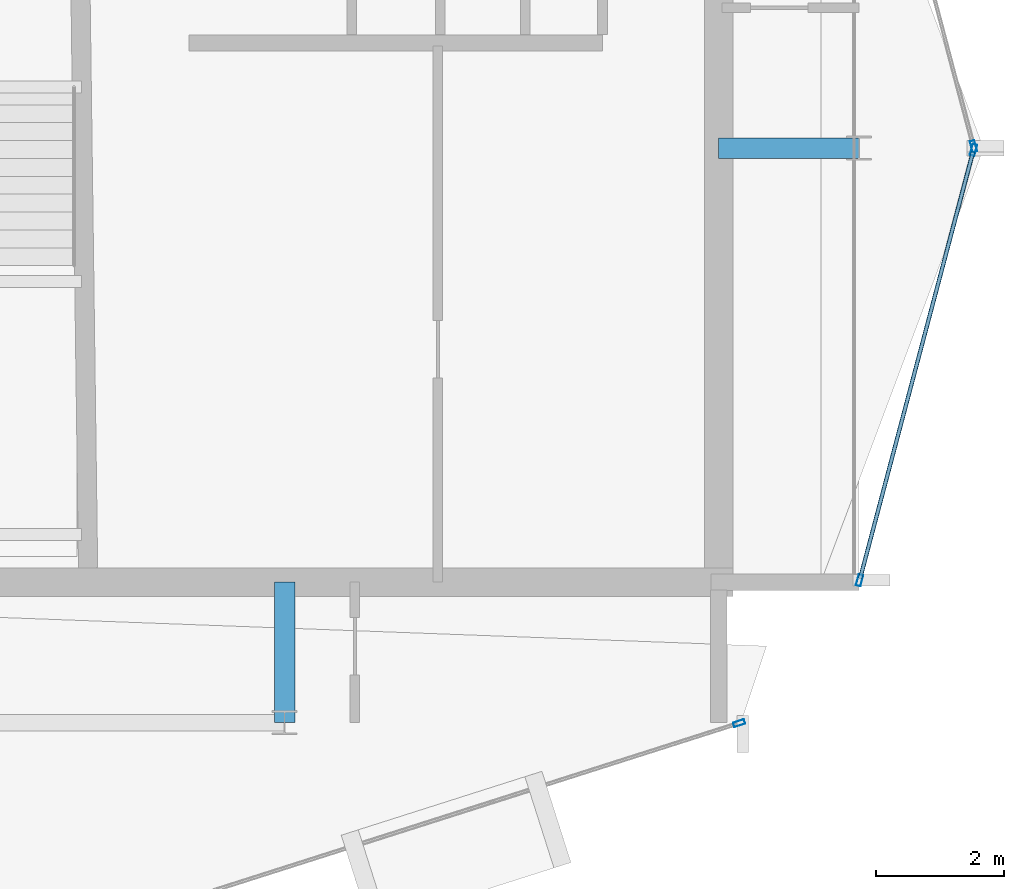
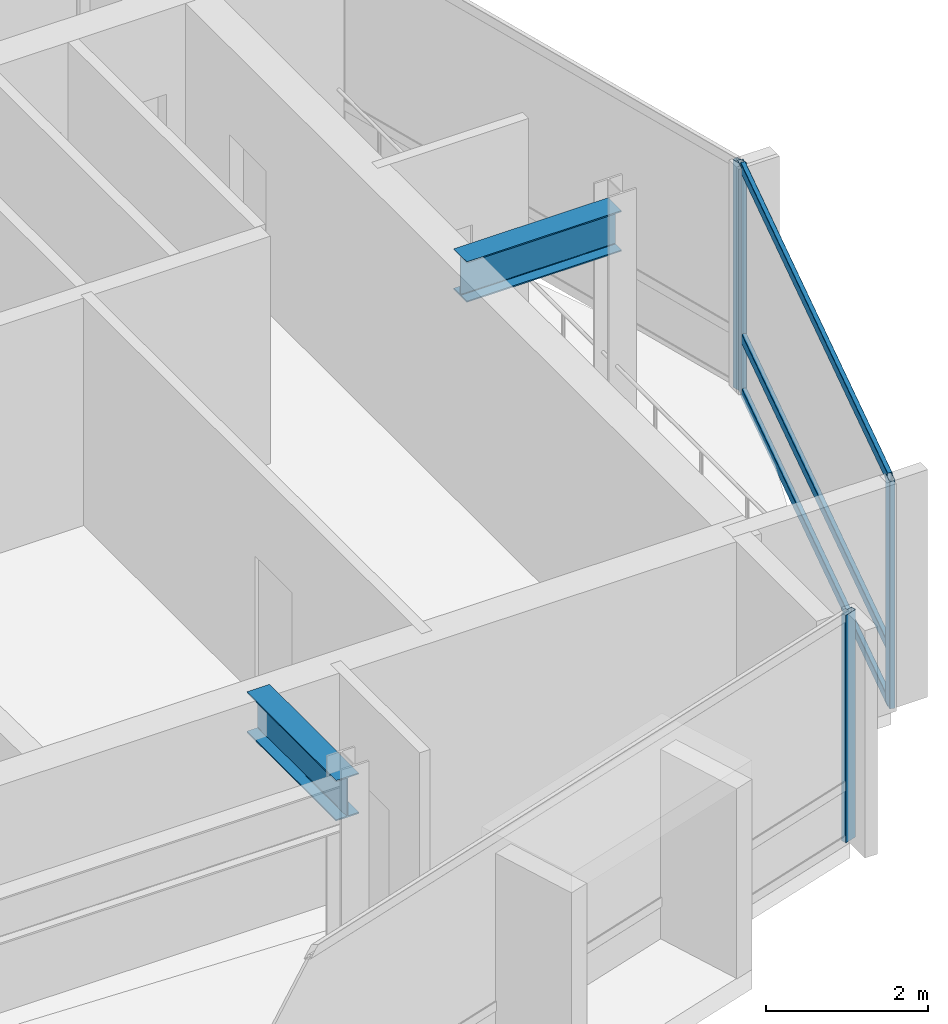
# One storey, part 9 of 19: 7 members, 2 beams, 3 elements without a shape of their own.
"""IFC4 building model written with IfcOpenShell, lengths in metres."""

from ifc_helpers import new_model, si_unit, direction, frame, origin, origin_2d, place, context, subcontext, project, spatial, hollow_rectangle, i_section, extrude, material, layer, layer_set, material_profile, profile_set, type_object, element, aggregate, save


model = new_model("IFC4")

# Units and contexts
model_context = context("Model", 3, precision=1e-05, world=origin(), true_north=direction((0.0, 1.0)))
body_context = subcontext(model_context, "Body", "Model", "MODEL_VIEW")
ifc_project = project(units=[si_unit("LENGTHUNIT", "METRE"), si_unit("AREAUNIT", "SQUARE_METRE"), si_unit("VOLUMEUNIT", "CUBIC_METRE"), si_unit("PLANEANGLEUNIT", "RADIAN"), si_unit("MASSUNIT", "GRAM", prefix="KILO")], contexts=[model_context])

# Site, building, storey
site_placement = place(None, origin())
site = spatial("IfcSite", under=ifc_project, at=site_placement, CompositionType="ELEMENT")
building_placement = place(site_placement, origin())
building = spatial("IfcBuilding", under=site, at=building_placement, Name="Solvaryn Broadcast Tower", CompositionType="ELEMENT")
storey_placement = place(building_placement, frame((0.0, 0.0, 274.10009765625)))
storey = spatial("IfcBuildingStorey", under=building, at=storey_placement, Name="L69", CompositionType="ELEMENT", Elevation=274.10009765625)

# Beams
ifc_material_1 = material(Name="Steel ASTM A992 Grade 50", Category="steel")
ifc_material_profile_1 = material_profile(ifc_material_1, i_section(OverallWidth=0.323974609375, OverallDepth=0.611083984375, WebThickness=0.0126953125, FlangeThickness=0.01904296875, FilletRadius=0.014892578125, at=origin_2d()))
ifc_profile_set_1 = profile_set([ifc_material_profile_1], Name="Steel ASTM A992 Grade 50")
beam_type = type_object("IfcBeamType", Name="BM-B1-W24X104", PredefinedType="BEAM", material=ifc_profile_set_1)
for number, where, z_axis, x_axis, name in (
    (1, (36.0, 9.0, 3.114501953125), (0.0, 1.0, 0.0), (-1.0, 0.0, 0.0), "L69 Core Tie Beam CTE1"),
    (2, (42.800048828125, 18.0, 3.114501953125), (1.0, 0.0, 0.0), (0.0, 1.0, 0.0), "L69 Core Tie Beam CTE3"),
):
    element("IfcBeam", number, at=place(storey_placement, frame(where, z_axis=z_axis, x_axis=x_axis)), inside=storey, type_object=beam_type, Name=name, PredefinedType="BEAM", context=body_context, shape_type="SweptSolid", body=[
        extrude(i_section(OverallWidth=0.323974609375, OverallDepth=0.611083984375, WebThickness=0.0126953125, FlangeThickness=0.01904296875, FilletRadius=0.014892578125, at=origin_2d()), origin(), (0.0, 0.0, 1.0), 2.199951171875),
    ])

# Curtain wall, member
ifc_material_2 = material(Name="Aluminium and Terracotta Unitised Curtain Wall", Category="masonry")
ifc_layer = layer(ifc_material_2, 0.199951171875)
ifc_layer_set = layer_set([ifc_layer], Name="CW-SYS2-LOWMID")
curtain_wall_type = type_object("IfcCurtainWallType", Name="CW-SYS2-LOWMID", PredefinedType="NOTDEFINED", material=ifc_layer_set)
curtain_wall_1_placement = place(storey_placement, origin())
curtain_wall_1 = element("IfcCurtainWall", 3, at=curtain_wall_1_placement, inside=storey, type_object=curtain_wall_type, Name="L69 Curtain Wall DR4", PredefinedType="NOTDEFINED")
ifc_material_3 = material(Name="Anodised Aluminium 6063-T6", Category="aluminium")
ifc_material_profile_2 = material_profile(ifc_material_3, hollow_rectangle(XDim=0.074951171875, YDim=0.179931640625, WallThickness=0.00390625, InnerFilletRadius=0.00390625, OuterFilletRadius=0.008056640625, at=origin_2d()))
ifc_profile_set_2 = profile_set([ifc_material_profile_2], Name="Anodised Aluminium 6063-T6")
member_type_1 = type_object("IfcMemberType", Name="CW-MUL-180", PredefinedType="MULLION", material=ifc_profile_set_2)
member_1_placement = place(storey_placement, frame((43.120361328125, 8.990966796875, 0.0), z_axis=(0.0, 0.0, 1.0), x_axis=(-0.30361564569, 0.952794594701, 0.0)))
member_1 = element("IfcMember", 4, at=member_1_placement, type_object=member_type_1, Name="CWS2 mullion 2", PredefinedType="MULLION", context=body_context, shape_type="SweptSolid", body=[
    extrude(hollow_rectangle(XDim=0.074951171875, YDim=0.179931640625, WallThickness=0.00390625, InnerFilletRadius=0.00390625, OuterFilletRadius=0.008056640625, at=origin_2d()), origin(), (0.0, 0.0, 1.0), 3.419921875),
])
aggregate(curtain_wall_1, [member_1])

curtain_wall_2_placement = place(storey_placement, origin())
curtain_wall_2 = element("IfcCurtainWall", 5, at=curtain_wall_2_placement, inside=storey, type_object=curtain_wall_type, Name="L69 Curtain Wall ET1", PredefinedType="NOTDEFINED")
member_2_placement = place(storey_placement, frame((46.792236328125, 18.029052734375, 0.0), z_axis=(0.0, 0.0, 1.0), x_axis=(0.966705227863, 0.25589256031, 0.0)))
member_2 = element("IfcMember", 6, at=member_2_placement, type_object=member_type_1, Name="CWS2 mullion 2", PredefinedType="MULLION", context=body_context, shape_type="SweptSolid", body=[
    extrude(hollow_rectangle(XDim=0.074951171875, YDim=0.179931640625, WallThickness=0.00390625, InnerFilletRadius=0.00390625, OuterFilletRadius=0.008056640625, at=origin_2d()), origin(), (0.0, 0.0, 1.0), 3.419921875),
])
aggregate(curtain_wall_2, [member_2])

# Curtain wall, members
curtain_wall_3_placement = place(storey_placement, origin())
curtain_wall_3 = element("IfcCurtainWall", 7, at=curtain_wall_3_placement, inside=storey, type_object=curtain_wall_type, Name="L69 Curtain Wall ET2", PredefinedType="NOTDEFINED")
member_3_placement = place(storey_placement, frame((46.792236328125, 17.970947265625, 0.0), z_axis=(0.0, 0.0, 1.0), x_axis=(0.966705227863, -0.25589256031, 0.0)))
member_3 = element("IfcMember", 8, at=member_3_placement, type_object=member_type_1, Name="CWS2 mullion 1", PredefinedType="MULLION", context=body_context, shape_type="SweptSolid", body=[
    extrude(hollow_rectangle(XDim=0.074951171875, YDim=0.179931640625, WallThickness=0.00390625, InnerFilletRadius=0.00390625, OuterFilletRadius=0.008056640625, at=origin_2d()), origin(), (0.0, 0.0, 1.0), 3.419921875),
])
member_4_placement = place(storey_placement, frame((45.007568359375, 11.22900390625, 0.0), z_axis=(0.0, 0.0, 1.0), x_axis=(0.966705227863, -0.25589256031, 0.0)))
member_4 = element("IfcMember", 9, at=member_4_placement, type_object=member_type_1, Name="CWS2 mullion 2", PredefinedType="MULLION", context=body_context, shape_type="SweptSolid", body=[
    extrude(hollow_rectangle(XDim=0.074951171875, YDim=0.179931640625, WallThickness=0.00390625, InnerFilletRadius=0.00390625, OuterFilletRadius=0.008056640625, at=origin_2d()), origin(), (0.0, 0.0, 1.0), 3.419921875),
])
ifc_material_4 = material(Name="Anodised Aluminium 6063-T6", Category="aluminium")
ifc_material_profile_3 = material_profile(ifc_material_4, hollow_rectangle(XDim=0.06494140625, YDim=0.14990234375, WallThickness=0.00390625, InnerFilletRadius=0.00390625, OuterFilletRadius=0.008056640625, at=origin_2d()))
ifc_profile_set_3 = profile_set([ifc_material_profile_3], Name="Anodised Aluminium 6063-T6")
member_type_2 = type_object("IfcMemberType", Name="CW-TRN-150", PredefinedType="USERDEFINED", material=ifc_profile_set_3)
member_5_placement = place(storey_placement, frame((46.78466796875, 17.94189453125, 0.02978515625), z_axis=(-0.255897413051, -0.966703943301, 0.0), x_axis=(0.966703943301, -0.255897413051, 0.0)))
member_5 = element("IfcMember", 10, at=member_5_placement, type_object=member_type_2, Name="CWS2 transom 1.1", ObjectType="TRANSOM", PredefinedType="USERDEFINED", context=body_context, shape_type="SweptSolid", body=[
    extrude(hollow_rectangle(XDim=0.06494140625, YDim=0.14990234375, WallThickness=0.00390625, InnerFilletRadius=0.00390625, OuterFilletRadius=0.008056640625, at=origin_2d()), origin(), (0.0, 0.0, 1.0), 6.9140625),
])
member_6_placement = place(storey_placement, frame((46.78466796875, 17.94189453125, 0.849853515625), z_axis=(-0.255897413051, -0.966703943301, 0.0), x_axis=(0.966703943301, -0.255897413051, 0.0)))
member_6 = element("IfcMember", 11, at=member_6_placement, type_object=member_type_2, Name="CWS2 transom 1.2", ObjectType="TRANSOM", PredefinedType="USERDEFINED", context=body_context, shape_type="SweptSolid", body=[
    extrude(hollow_rectangle(XDim=0.06494140625, YDim=0.14990234375, WallThickness=0.00390625, InnerFilletRadius=0.00390625, OuterFilletRadius=0.008056640625, at=origin_2d()), origin(), (0.0, 0.0, 1.0), 6.9140625),
])
member_7_placement = place(storey_placement, frame((46.78466796875, 17.94189453125, 3.389892578125), z_axis=(-0.255897413051, -0.966703943301, 0.0), x_axis=(0.966703943301, -0.255897413051, 0.0)))
member_7 = element("IfcMember", 12, at=member_7_placement, type_object=member_type_2, Name="CWS2 transom 1.3", ObjectType="TRANSOM", PredefinedType="USERDEFINED", context=body_context, shape_type="SweptSolid", body=[
    extrude(hollow_rectangle(XDim=0.06494140625, YDim=0.14990234375, WallThickness=0.00390625, InnerFilletRadius=0.00390625, OuterFilletRadius=0.008056640625, at=origin_2d()), origin(), (0.0, 0.0, 1.0), 6.9140625),
])
aggregate(curtain_wall_3, [member_3, member_4, member_5, member_6, member_7])

save(model, "model.ifc")
